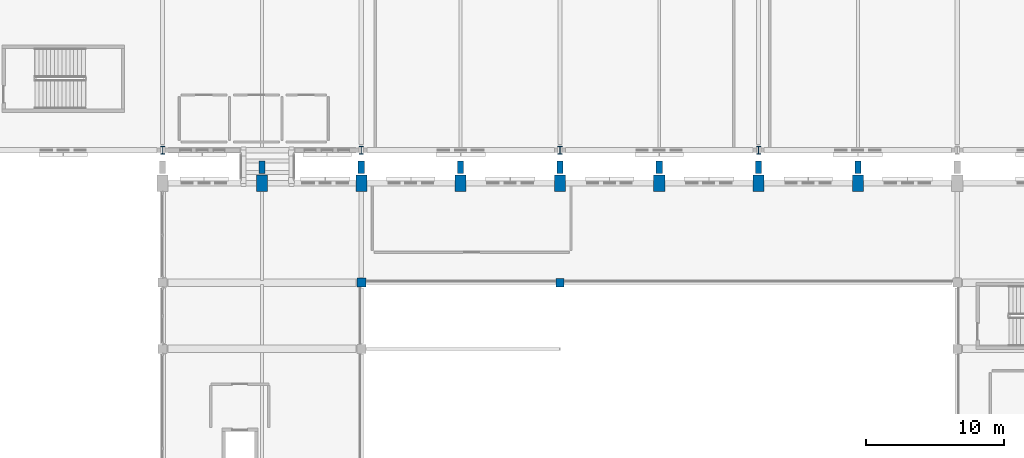
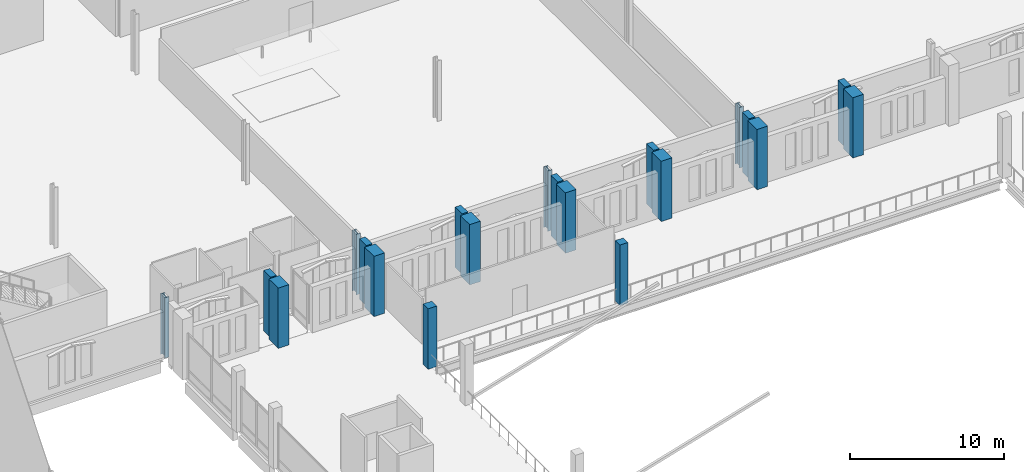
# One storey, part 17 of 220: 20 columns.
"""IFC4 building model written with IfcOpenShell, lengths in metres."""

from ifc_helpers import new_model, si_unit, direction, frame, origin, origin_2d, place, context, subcontext, project, spatial, rectangle, i_section, extrude, material, material_profile, profile_set, type_object, element, save


model = new_model("IFC4")

# Units and contexts
model_context = context("Model", 3, precision=1e-05, world=origin(), true_north=direction((0.0, 1.0)))
body_context = subcontext(model_context, "Body", "Model", "MODEL_VIEW")
ifc_project = project(units=[si_unit("LENGTHUNIT", "METRE"), si_unit("AREAUNIT", "SQUARE_METRE"), si_unit("VOLUMEUNIT", "CUBIC_METRE"), si_unit("PLANEANGLEUNIT", "RADIAN"), si_unit("MASSUNIT", "GRAM", prefix="KILO")], contexts=[model_context])

# Site, building, storey
site_placement = place(None, origin())
site = spatial("IfcSite", under=ifc_project, at=site_placement, CompositionType="ELEMENT")
building_placement = place(site_placement, origin())
building = spatial("IfcBuilding", under=site, at=building_placement, Name="Cendralis Lancet Convention Centre", CompositionType="ELEMENT")
storey_placement = place(building_placement, frame((0.0, 0.0, 5.39990234375)))
storey = spatial("IfcBuildingStorey", under=building, at=storey_placement, Name="L01", CompositionType="ELEMENT", Elevation=5.39990234375)

# Columns
ifc_material_1 = material(Name="Concrete G40 (C40/50)", Category="concrete")
ifc_material_profile_1 = material_profile(ifc_material_1, rectangle(XDim=0.64990234375, YDim=0.64990234375, at=origin_2d()), Name="RC 650x650")
ifc_profile_set_1 = profile_set([ifc_material_profile_1], Name="Concrete G40 (C40/50)")
column_type_1 = type_object("IfcColumnType", Name="STR-COL-C08-INT", PredefinedType="COLUMN", material=ifc_profile_set_1)
column_1_placement = place(storey_placement, frame((153.60009765625, 84.0, 0.0), z_axis=(0.0, 0.0, 1.0), x_axis=(1.0, 0.0, 0.0)))
element("IfcColumn", 1, at=column_1_placement, inside=storey, type_object=column_type_1, Name="L01 Column C08 at 153.6,84.0", PredefinedType="COLUMN", context=body_context, shape_type="SweptSolid", body=[
    extrude(rectangle(XDim=0.64990234375, YDim=0.64990234375, at=origin_2d()), origin(), (0.0, 0.0, 1.0), 4.800048828125),
])
ifc_material_profile_2 = material_profile(ifc_material_1, rectangle(XDim=0.60009765625, YDim=0.60009765625, at=origin_2d()), Name="RC 600x600")
ifc_profile_set_2 = profile_set([ifc_material_profile_2], Name="Concrete G40 (C40/50)")
column_type_2 = type_object("IfcColumnType", Name="STR-COL-C09-INT", PredefinedType="COLUMN", material=ifc_profile_set_2)
column_2_placement = place(storey_placement, frame((168.0, 84.0, 0.0), z_axis=(0.0, 0.0, 1.0), x_axis=(1.0, 0.0, 0.0)))
element("IfcColumn", 2, at=column_2_placement, inside=storey, type_object=column_type_2, Name="L01 Column C09 at 168.0,84.0", PredefinedType="COLUMN", context=body_context, shape_type="SweptSolid", body=[
    extrude(rectangle(XDim=0.60009765625, YDim=0.60009765625, at=origin_2d()), origin(), (0.0, 0.0, 1.0), 4.800048828125),
])
ifc_material_profile_3 = material_profile(ifc_material_1, rectangle(XDim=0.800048828125, YDim=1.199951171875, at=origin_2d()), Name="RC 800x1200")
ifc_profile_set_3 = profile_set([ifc_material_profile_3], Name="Concrete G40 (C40/50)")
column_type_3 = type_object("IfcColumnType", Name="STR-COL-C15", PredefinedType="COLUMN", material=ifc_profile_set_3)
for number, where, z_axis, x_axis, name in (
    (3, (146.39990234375, 91.199951171875, 0.0), (0.0, 0.0, 1.0), (1.0, 0.0, 0.0), "L01 Column C15 at 146.4,91.2"),
    (4, (153.60009765625, 91.199951171875, 0.0), (0.0, 0.0, 1.0), (1.0, 0.0, 0.0), "L01 Column C15 at 153.6,91.2"),
    (5, (160.800048828125, 91.199951171875, 0.0), (0.0, 0.0, 1.0), (1.0, 0.0, 0.0), "L01 Column C15 at 160.8,91.2"),
    (6, (168.0, 91.199951171875, 0.0), (0.0, 0.0, 1.0), (1.0, 0.0, 0.0), "L01 Column C15 at 168.0,91.2"),
    (7, (175.199951171875, 91.199951171875, 0.0), (0.0, 0.0, 1.0), (1.0, 0.0, 0.0), "L01 Column C15 at 175.2,91.2"),
    (8, (182.39990234375, 91.199951171875, 0.0), (0.0, 0.0, 1.0), (1.0, 0.0, 0.0), "L01 Column C15 at 182.4,91.2"),
    (9, (189.60009765625, 91.199951171875, 0.0), (0.0, 0.0, 1.0), (1.0, 0.0, 0.0), "L01 Column C15 at 189.6,91.2"),
):
    element("IfcColumn", number, at=place(storey_placement, frame(where, z_axis=z_axis, x_axis=x_axis)), inside=storey, type_object=column_type_3, Name=name, PredefinedType="COLUMN", context=body_context, shape_type="SweptSolid", body=[
        extrude(rectangle(XDim=0.800048828125, YDim=1.199951171875, at=origin_2d()), origin(), (0.0, 0.0, 1.0), 4.800048828125),
    ])
ifc_material_2 = material(Name="Steel S355", Category="steel")
ifc_material_profile_4 = material_profile(ifc_material_2, i_section(OverallWidth=0.300048828125, OverallDepth=0.550048828125, WebThickness=0.014892578125, FlangeThickness=0.029052734375, FilletRadius=0.027099609375, at=origin_2d()), Name="HEB 550")
ifc_profile_set_4 = profile_set([ifc_material_profile_4], Name="Steel S355")
column_type_4 = type_object("IfcColumnType", Name="STR-COL-C22", PredefinedType="COLUMN", material=ifc_profile_set_4)
for number, where, z_axis, x_axis, name in (
    (10, (139.199951171875, 93.60009765625, 0.0), (0.0, 0.0, 1.0), (1.0, 0.0, 0.0), "L01 Column C22 at 139.2,93.6"),
    (11, (153.60009765625, 93.60009765625, 0.0), (0.0, 0.0, 1.0), (1.0, 0.0, 0.0), "L01 Column C22 at 153.6,93.6"),
    (12, (168.0, 93.60009765625, 0.0), (0.0, 0.0, 1.0), (1.0, 0.0, 0.0), "L01 Column C22 at 168.0,93.6"),
    (13, (182.39990234375, 93.60009765625, 0.0), (0.0, 0.0, 1.0), (1.0, 0.0, 0.0), "L01 Column C22 at 182.4,93.6"),
):
    element("IfcColumn", number, at=place(storey_placement, frame(where, z_axis=z_axis, x_axis=x_axis)), inside=storey, type_object=column_type_4, Name=name, PredefinedType="COLUMN", context=body_context, shape_type="SweptSolid", body=[
        extrude(i_section(OverallWidth=0.300048828125, OverallDepth=0.550048828125, WebThickness=0.014892578125, FlangeThickness=0.029052734375, FilletRadius=0.027099609375, at=origin_2d()), origin(), (0.0, 0.0, 1.0), 4.800048828125),
    ])
ifc_material_profile_5 = material_profile(ifc_material_1, rectangle(XDim=0.449951171875, YDim=0.89990234375, at=origin_2d()), Name="RC 450x900")
ifc_profile_set_5 = profile_set([ifc_material_profile_5], Name="Concrete G40 (C40/50)")
column_type_5 = type_object("IfcColumnType", Name="STR-PIL-PL02", PredefinedType="PILASTER", material=ifc_profile_set_5)
for number, where, z_axis, x_axis, name in (
    (14, (146.39990234375, 92.360107421875, 0.0), (0.0, 0.0, 1.0), (1.0, 0.0, 0.0), "L01 Column PL02 at 146.4,92.4"),
    (15, (153.60009765625, 92.360107421875, 0.0), (0.0, 0.0, 1.0), (1.0, 0.0, 0.0), "L01 Column PL02 at 153.6,92.4"),
    (16, (160.800048828125, 92.360107421875, 0.0), (0.0, 0.0, 1.0), (1.0, 0.0, 0.0), "L01 Column PL02 at 160.8,92.4"),
    (17, (168.0, 92.360107421875, 0.0), (0.0, 0.0, 1.0), (1.0, 0.0, 0.0), "L01 Column PL02 at 168.0,92.4"),
    (18, (175.199951171875, 92.360107421875, 0.0), (0.0, 0.0, 1.0), (1.0, 0.0, 0.0), "L01 Column PL02 at 175.2,92.4"),
    (19, (182.39990234375, 92.360107421875, 0.0), (0.0, 0.0, 1.0), (1.0, 0.0, 0.0), "L01 Column PL02 at 182.4,92.4"),
    (20, (189.60009765625, 92.360107421875, 0.0), (0.0, 0.0, 1.0), (1.0, 0.0, 0.0), "L01 Column PL02 at 189.6,92.4"),
):
    element("IfcColumn", number, at=place(storey_placement, frame(where, z_axis=z_axis, x_axis=x_axis)), inside=storey, type_object=column_type_5, Name=name, PredefinedType="PILASTER", context=body_context, shape_type="SweptSolid", body=[
        extrude(rectangle(XDim=0.449951171875, YDim=0.89990234375, at=origin_2d()), origin(), (0.0, 0.0, 1.0), 4.800048828125),
    ])

save(model, "model.ifc")
